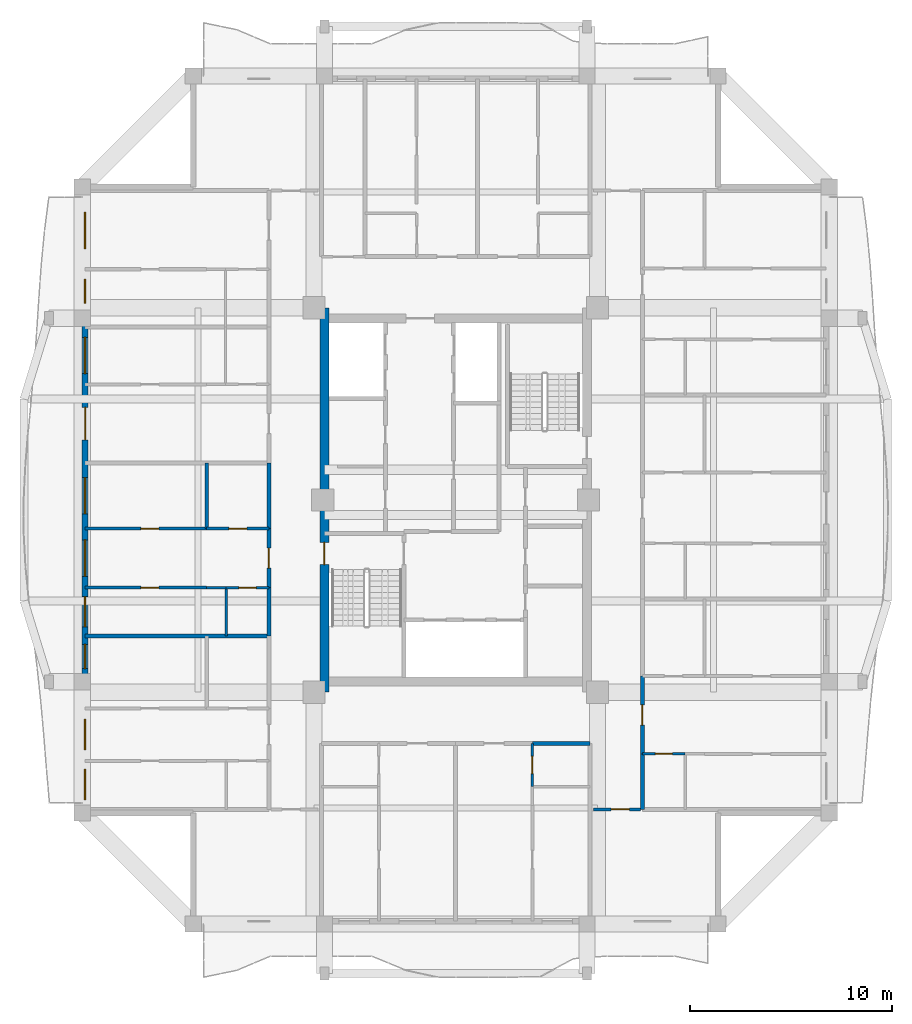
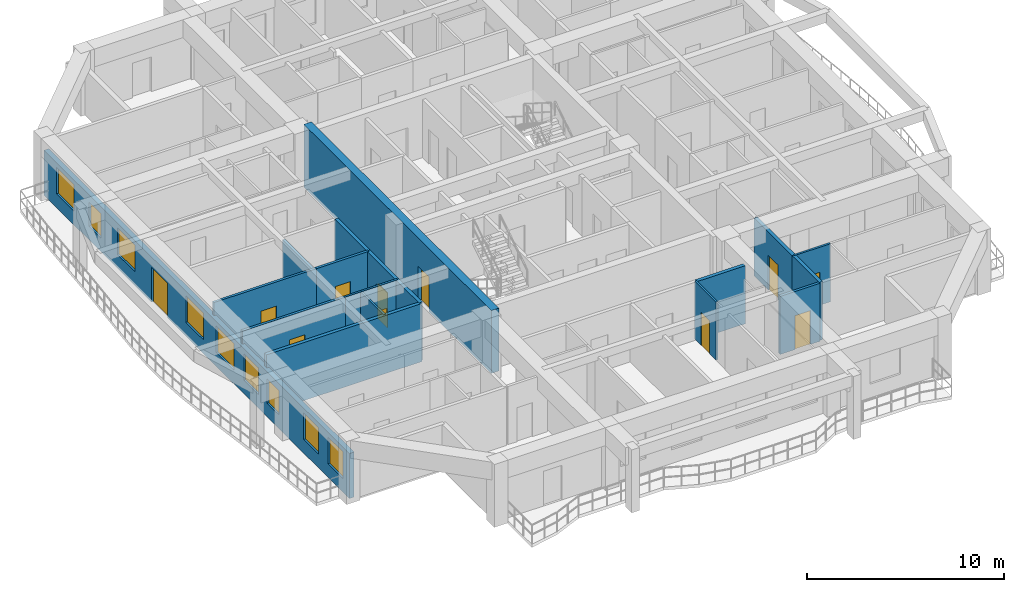
# One storey, part 3 of 14: 19 walls, 11 doors, 9 windows, 20 openings.
"""IFC4 building model written with IfcOpenShell, lengths in metres."""

import ifcopenshell
import ifcopenshell.guid

model = None  # the IFC model being written
_history = None  # IfcOwnerHistory: only IFC2X3 demands one
_inside = {}  # id of a spatial element -> (the spatial element, [elements in it])
_under = {}  # id of a project, library or spatial element -> (it, [spatial elements below it])
_declared = {}  # id of a project -> (the project, [libraries it declares])
_typed = {}  # id of a type object -> (the type object, [elements of that type])
_made_of = {}  # id of a material, layer set ... -> (it, [elements and type objects made of it])


def new_model(schema):
    """Start an empty IFC model of exactly this schema.

    Asked for "IFC4X3", IfcOpenShell would pick the latest addendum, in which some entities
    have other attributes; the version numbers below select the first issue.
    IFC2X3 requires an IfcOwnerHistory on every rooted entity: one is made here for all.
    """
    global model, _history
    if schema == "IFC4X3":
        model = ifcopenshell.file(schema_version=(4, 3, 0, 0))
    else:
        model = ifcopenshell.file(schema=schema)
    _inside.clear()
    _under.clear()
    _declared.clear()
    _typed.clear()
    _made_of.clear()
    _history = None
    if model.schema == "IFC2X3":
        org = make("IfcOrganization", Name="unknown")
        user = make(
            "IfcPersonAndOrganization",
            ThePerson=make("IfcPerson", FamilyName="unknown"),
            TheOrganization=org,
        )
        app = make(
            "IfcApplication",
            ApplicationDeveloper=org,
            Version="unknown",
            ApplicationFullName="unknown",
            ApplicationIdentifier="unknown",
        )
        _history = make(
            "IfcOwnerHistory",
            OwningUser=user,
            OwningApplication=app,
            ChangeAction="ADDED",
            CreationDate=0,
        )
    return model


def make(cls, **values):
    """One entity of the class cls with the attributes given. An attribute that is None is left unset."""
    return model.create_entity(
        cls, **{name: value for name, value in values.items() if value is not None}
    )


def rooted(cls, **values):
    """An entity with a GlobalId (a new one), such as an element, a storey or a relation."""
    return make(cls, GlobalId=ifcopenshell.guid.new(), OwnerHistory=_history, **values)


def si_unit(unit_type, name, prefix=None):
    """IfcSIUnit, for example si_unit("LENGTHUNIT", "METRE", prefix="MILLI")."""
    return make("IfcSIUnit", UnitType=unit_type, Prefix=prefix, Name=name)


def assignment(units):
    """IfcUnitAssignment: the units of a project."""
    return None if units is None else make("IfcUnitAssignment", Units=units)


def point(xyz):
    """IfcCartesianPoint."""
    return None if xyz is None else make("IfcCartesianPoint", Coordinates=xyz)


def direction(xyz):
    """IfcDirection."""
    return None if xyz is None else make("IfcDirection", DirectionRatios=xyz)


def frame(location, z_axis=None, x_axis=None):
    """IfcAxis2Placement3D, a coordinate frame: its origin and axes. An axis left out is left unset."""
    return make(
        "IfcAxis2Placement3D",
        Location=point(location),
        Axis=direction(z_axis),
        RefDirection=direction(x_axis),
    )


def frame_2d(location, x_axis=None):
    """IfcAxis2Placement2D, a coordinate frame in the plane: its origin and x axis."""
    return make(
        "IfcAxis2Placement2D", Location=point(location), RefDirection=direction(x_axis)
    )


def origin():
    """The frame at (0, 0, 0) with its axes left unset."""
    return frame((0.0, 0.0, 0.0))


def place(relative_to, where):
    """IfcLocalPlacement: puts the frame where relative to a parent placement (None: the world)."""
    return make(
        "IfcLocalPlacement", PlacementRelTo=relative_to, RelativePlacement=where
    )


def context(
    kind, dimensions, precision=None, world=None, true_north=None, identifier=None
):
    """IfcGeometricRepresentationContext, for example the 3D "Model" context."""
    return make(
        "IfcGeometricRepresentationContext",
        ContextIdentifier=identifier,
        ContextType=kind,
        CoordinateSpaceDimension=dimensions,
        Precision=precision,
        WorldCoordinateSystem=world,
        TrueNorth=true_north,
    )


def subcontext(parent, identifier, kind, view, scale=None):
    """IfcGeometricRepresentationSubContext, for example "Body" below "Model"."""
    return make(
        "IfcGeometricRepresentationSubContext",
        ContextIdentifier=identifier,
        ContextType=kind,
        ParentContext=parent,
        TargetScale=scale,
        TargetView=view,
    )


def project(units=None, contexts=None):
    """IfcProject with its units and contexts."""
    return rooted(
        "IfcProject",
        Name="project",
        RepresentationContexts=contexts,
        UnitsInContext=assignment(units),
    )


def spatial(cls, under=None, at=None, **own):
    """A site, building, storey or space (cls), placed at a placement, below another one or the project."""
    s = rooted(cls, ObjectPlacement=at, **own)
    if under is not None:
        _under.setdefault(under.id(), (under, []))[1].append(s)
    return s


def profile(cls, at=None, kind="AREA", **sizes):
    """A parametric profile (cls). Its sizes go by their IFC names, for example OverallWidth=200.0."""
    return make(cls, ProfileType=kind, Position=at, **sizes)


def rectangle(**sizes):
    """IfcRectangleProfileDef."""
    return profile("IfcRectangleProfileDef", **sizes)


def extrude(swept, where, along, depth):
    """IfcExtrudedAreaSolid: the profile swept, set in the frame where, extruded along a direction by depth."""
    return make(
        "IfcExtrudedAreaSolid",
        SweptArea=swept,
        Position=where,
        ExtrudedDirection=direction(along),
        Depth=depth,
    )


def shape(context_of_items, identifier, shape_type, items):
    """IfcShapeRepresentation: the items that make up one representation, for example the "Body"."""
    return make(
        "IfcShapeRepresentation",
        ContextOfItems=context_of_items,
        RepresentationIdentifier=identifier,
        RepresentationType=shape_type,
        Items=items,
    )


def source(mapping_origin, context_of_items, identifier, shape_type, items):
    """IfcRepresentationMap: a shape defined once, which mapped items show again and again."""
    return make(
        "IfcRepresentationMap",
        MappingOrigin=mapping_origin,
        MappedRepresentation=shape(context_of_items, identifier, shape_type, items),
    )


def transform(
    local_origin,
    x_axis=None,
    y_axis=None,
    z_axis=None,
    scale=None,
    scale2=None,
    scale3=None,
    uniform=True,
):
    """IfcCartesianTransformationOperator3D, or its non-uniform kind. x_axis, y_axis, z_axis: its Axis1, 2, 3."""
    if uniform:
        return make(
            "IfcCartesianTransformationOperator3D",
            Axis1=direction(x_axis),
            Axis2=direction(y_axis),
            LocalOrigin=point(local_origin),
            Scale=scale,
            Axis3=direction(z_axis),
        )
    return make(
        "IfcCartesianTransformationOperator3DnonUniform",
        Axis1=direction(x_axis),
        Axis2=direction(y_axis),
        LocalOrigin=point(local_origin),
        Scale=scale,
        Axis3=direction(z_axis),
        Scale2=scale2,
        Scale3=scale3,
    )


def mapped(mapping_source, mapping_target):
    """IfcMappedItem: shows the shape of a source again, moved by a transform."""
    return make(
        "IfcMappedItem", MappingSource=mapping_source, MappingTarget=mapping_target
    )


def material(Name=None, Category=None):
    """IfcMaterial."""
    return make("IfcMaterial", Name=Name, Category=Category)


def layer(
    of_material, thickness, ventilated=None, Name=None, Category=None, Priority=None
):
    """IfcMaterialLayer: one layer of a wall or slab, of a material (None: an air gap)."""
    return make(
        "IfcMaterialLayer",
        Material=of_material,
        LayerThickness=thickness,
        IsVentilated=ventilated,
        Name=Name,
        Category=Category,
        Priority=Priority,
    )


def layer_set(layers, Name=None):
    """IfcMaterialLayerSet."""
    return make("IfcMaterialLayerSet", MaterialLayers=layers, LayerSetName=Name)


def made_of(thing, what):
    """Note that an element or type object is made of a material, layer set ...; save() writes the relation."""
    if what is not None:
        _made_of.setdefault(what.id(), (what, []))[1].append(thing)
    return thing


def type_object(cls, material=None, **own):
    """A type object (cls), such as IfcWallType, which elements share."""
    return made_of(rooted(cls, **own), material)


def element(
    cls,
    number,
    at=None,
    inside=None,
    cuts=None,
    type_object=None,
    material=None,
    context=None,
    identifier="Body",
    shape_type=None,
    held_by="IfcProductDefinitionShape",
    body=None,
    shapes=None,
    **own,
):
    """One element of the class cls, such as IfcWall. Its Tag is "e" and its number.

    at: its placement. inside: the storey or other place that contains it. cuts: it is an
    opening in that element (IfcRelVoidsElement). A single representation is given by context,
    identifier, shape_type and body (its items); several are given by shapes. held_by: the class
    of the entity that holds the representations. save() writes the other relations.
    """
    e = rooted(cls, Tag="e%d" % number, ObjectPlacement=at, **own)
    if body is not None:
        shapes = [shape(context, identifier, shape_type, body)]
    if shapes is not None:
        e.Representation = make(held_by, Representations=shapes)
    if inside is not None:
        _inside.setdefault(inside.id(), (inside, []))[1].append(e)
    if cuts is not None:
        rooted(
            "IfcRelVoidsElement", RelatingBuildingElement=cuts, RelatedOpeningElement=e
        )
    if type_object is not None:
        _typed.setdefault(type_object.id(), (type_object, []))[1].append(e)
    return made_of(e, material)


def fill(opening, filler):
    """IfcRelFillsElement: the door or window that sits in an opening."""
    return rooted(
        "IfcRelFillsElement",
        RelatingOpeningElement=opening,
        RelatedBuildingElement=filler,
    )


def aggregate(whole, parts):
    """IfcRelAggregates: a whole, such as a stair, and the parts it consists of."""
    return rooted("IfcRelAggregates", RelatingObject=whole, RelatedObjects=parts)


def save(model, path):
    """Write the relations noted so far, then the file.

    IfcRelAggregates (storeys below a building ...), IfcRelContainedInSpatialStructure (elements
    in a storey), IfcRelDefinesByType, IfcRelAssociatesMaterial and IfcRelDeclares: one each for
    every whole, place, type object, material and project.
    """
    for whole, parts in _under.values():
        aggregate(whole, parts)
    for where, things in _inside.values():
        rooted(
            "IfcRelContainedInSpatialStructure",
            RelatedElements=things,
            RelatingStructure=where,
        )
    for kind, things in _typed.values():
        rooted("IfcRelDefinesByType", RelatedObjects=things, RelatingType=kind)
    for what, things in _made_of.values():
        rooted("IfcRelAssociatesMaterial", RelatedObjects=things, RelatingMaterial=what)
    for by, libraries in _declared.values():
        rooted("IfcRelDeclares", RelatingContext=by, RelatedDefinitions=libraries)
    model.write(path)


model = new_model("IFC4")

# Units and contexts
model_context = context("Model", 3, precision=1e-05, world=origin(), true_north=direction((0.0, 1.0)))
body_context = subcontext(model_context, "Body", "Model", "MODEL_VIEW")
ifc_project = project(units=[si_unit("LENGTHUNIT", "METRE"), si_unit("AREAUNIT", "SQUARE_METRE"), si_unit("VOLUMEUNIT", "CUBIC_METRE"), si_unit("PLANEANGLEUNIT", "RADIAN"), si_unit("MASSUNIT", "GRAM", prefix="KILO")], contexts=[model_context])

# Site, building, storey
site_placement = place(None, origin())
site = spatial("IfcSite", under=ifc_project, at=site_placement, CompositionType="ELEMENT")
building_placement = place(site_placement, origin())
building = spatial("IfcBuilding", under=site, at=building_placement, Name="Saelheon Loggia Tower", CompositionType="ELEMENT")
storey_placement = place(building_placement, frame((0.0, 0.0, 202.60009765625)))
storey = spatial("IfcBuildingStorey", under=building, at=storey_placement, Name="L63", CompositionType="ELEMENT", Elevation=202.60009765625)

# Wall, opening, door
ifc_material_1 = material(Name="Concrete C45/55", Category="concrete")
ifc_layer_1 = layer(ifc_material_1, 0.449951171875)
ifc_layer_set_1 = layer_set([ifc_layer_1], Name="Concrete C45/55")
wall_type_1 = type_object("IfcWallType", Name="Wall_CoreShear_450", PredefinedType="SHEAR", material=ifc_layer_set_1)
wall_1_placement = place(storey_placement, frame((31.5, 17.47998046875, 0.0), z_axis=(0.0, 0.0, 1.0), x_axis=(0.0, 1.0, 0.0)))
wall_1 = element("IfcWall", 1, at=wall_1_placement, inside=storey, type_object=wall_type_1, Name="L63 Core Shear Wall West", PredefinedType="SHEAR", context=body_context, shape_type="SweptSolid", body=[
    extrude(rectangle(XDim=19.0400390625, YDim=0.449951171875, at=frame_2d((9.52001953125, 0.0))), origin(), (0.0, 0.0, 1.0), 3.89990234375),
])
opening_1_placement = place(wall_1_placement, frame((6.320068359375, 0.0, 0.0)))
opening_1 = element("IfcOpeningElement", 2, at=opening_1_placement, cuts=wall_1, Name="Opening D-FD2", PredefinedType="OPENING", context=body_context, shape_type="SweptSolid", body=[
    extrude(rectangle(XDim=1.10009765625, YDim=2.14990234375, at=frame_2d((0.550048828125, 1.074951171875))), frame((0.0, 0.237060546875, 0.0), z_axis=(0.0, -1.0, 0.0), x_axis=(1.0, 0.0, 0.0)), (0.0, 0.0, 1.0), 0.473876953125),
])
ifc_material_2 = material(Name="Galvanised Steel Fire Door", Category="steel")
door_type_1 = type_object("IfcDoorType", Name="Door_Fire_FD60_1100", OperationType="NOTDEFINED", PredefinedType="DOOR", material=ifc_material_2)
shared_shape_1 = source(origin(), body_context, "Body", "SweptSolid", [
    extrude(rectangle(XDim=1.10009765625, YDim=2.14990234375, at=frame_2d((0.550048828125, 1.074951171875))), frame((0.0, 0.02490234375, 0.0), z_axis=(0.0, -1.0, 0.0), x_axis=(1.0, 0.0, 0.0)), (0.0, 0.0, 1.0), 0.050048828125),
])
door_1_placement = place(opening_1_placement, origin())
door_1 = element("IfcDoor", 3, at=door_1_placement, inside=storey, type_object=door_type_1, Name="L63 Stair ST1 Corridor Door", OperationType="SINGLE_SWING_LEFT", OverallHeight=2.14990234375, OverallWidth=1.10009765625, PredefinedType="DOOR", context=body_context, shape_type="MappedRepresentation", body=[
    mapped(shared_shape_1, transform((0.0, 0.0, 0.0), scale=1.0)),
])
fill(opening_1, door_1)

# Wall, openings, windows, door
ifc_material_3 = material(Name="Architectural Precast Concrete C40/50", Category="concrete")
ifc_layer_2 = layer(ifc_material_3, 0.280029296875)
ifc_layer_set_2 = layer_set([ifc_layer_2], Name="Architectural Precast Concrete C40/50")
wall_type_2 = type_object("IfcWallType", Name="Wall_Ext_Loggia_280", PredefinedType="SOLIDWALL", material=ifc_layer_set_2)
wall_2_placement = place(storey_placement, frame((19.639892578125, 11.5, 0.0), z_axis=(0.0, 0.0, 1.0), x_axis=(0.0, 1.0, 0.0)))
wall_2 = element("IfcWall", 4, at=wall_2_placement, inside=storey, type_object=wall_type_2, Name="L63 West Loggia Inner Wall", PredefinedType="SOLIDWALL", context=body_context, shape_type="SweptSolid", body=[
    extrude(rectangle(XDim=31.0, YDim=0.280029296875, at=frame_2d((15.5, 0.0))), origin(), (0.0, 0.0, 1.0), 2.789794921875),
])
opening_2_placement = place(wall_2_placement, frame((0.6611328125, 0.0, 0.85009765625)))
opening_2 = element("IfcOpeningElement", 5, at=opening_2_placement, cuts=wall_2, Name="Opening WN-02", PredefinedType="OPENING", context=body_context, shape_type="SweptSolid", body=[
    extrude(rectangle(XDim=1.5, YDim=1.64990234375, at=frame_2d((0.75, 0.824951171875))), frame((0.0, 0.152099609375, 0.0), z_axis=(0.0, -1.0, 0.0), x_axis=(1.0, 0.0, 0.0)), (0.0, 0.0, 1.0), 0.303955078125),
])
opening_3_placement = place(wall_2_placement, frame((3.131103515625, 0.0, 0.85009765625)))
opening_3 = element("IfcOpeningElement", 6, at=opening_3_placement, cuts=wall_2, Name="Opening WN-02", PredefinedType="OPENING", context=body_context, shape_type="SweptSolid", body=[
    extrude(rectangle(XDim=1.5, YDim=1.64990234375, at=frame_2d((0.75, 0.824951171875))), frame((0.0, 0.152099609375, 0.0), z_axis=(0.0, -1.0, 0.0), x_axis=(1.0, 0.0, 0.0)), (0.0, 0.0, 1.0), 0.303955078125),
])
opening_4_placement = place(wall_2_placement, frame((7.149658203125, 0.0, 0.85009765625)))
opening_4 = element("IfcOpeningElement", 7, at=opening_4_placement, cuts=wall_2, Name="Opening WN-03", PredefinedType="OPENING", context=body_context, shape_type="SweptSolid", body=[
    extrude(rectangle(XDim=1.199951171875, YDim=1.5, at=frame_2d((0.60009765625, 0.75))), frame((0.0, 0.152099609375, 0.0), z_axis=(0.0, -1.0, 0.0), x_axis=(1.0, 0.0, 0.0)), (0.0, 0.0, 1.0), 0.303955078125),
])
opening_5_placement = place(wall_2_placement, frame((9.210205078125, 0.0, 0.85009765625)))
opening_5 = element("IfcOpeningElement", 8, at=opening_5_placement, cuts=wall_2, Name="Opening WN-02", PredefinedType="OPENING", context=body_context, shape_type="SweptSolid", body=[
    extrude(rectangle(XDim=1.5, YDim=1.64990234375, at=frame_2d((0.75, 0.824951171875))), frame((0.0, 0.152099609375, 0.0), z_axis=(0.0, -1.0, 0.0), x_axis=(1.0, 0.0, 0.0)), (0.0, 0.0, 1.0), 0.303955078125),
])
opening_6_placement = place(wall_2_placement, frame((11.7197265625, 0.0, 0.85009765625)))
opening_6 = element("IfcOpeningElement", 9, at=opening_6_placement, cuts=wall_2, Name="Opening WN-01", PredefinedType="OPENING", context=body_context, shape_type="SweptSolid", body=[
    extrude(rectangle(XDim=1.800048828125, YDim=1.64990234375, at=frame_2d((0.89990234375, 0.824951171875))), frame((0.0, 0.152099609375, 0.0), z_axis=(0.0, -1.0, 0.0), x_axis=(1.0, 0.0, 0.0)), (0.0, 0.0, 1.0), 0.303955078125),
])
opening_7_placement = place(wall_2_placement, frame((14.808349609375, 0.0, 0.85009765625)))
opening_7 = element("IfcOpeningElement", 10, at=opening_7_placement, cuts=wall_2, Name="Opening WN-01", PredefinedType="OPENING", context=body_context, shape_type="SweptSolid", body=[
    extrude(rectangle(XDim=1.800048828125, YDim=1.64990234375, at=frame_2d((0.89990234375, 0.824951171875))), frame((0.0, 0.152099609375, 0.0), z_axis=(0.0, -1.0, 0.0), x_axis=(1.0, 0.0, 0.0)), (0.0, 0.0, 1.0), 0.303955078125),
])
opening_8_placement = place(wall_2_placement, frame((18.48388671875, 0.0, 0.0)))
opening_8 = element("IfcOpeningElement", 11, at=opening_8_placement, cuts=wall_2, Name="Opening DLG-1", PredefinedType="OPENING", context=body_context, shape_type="SweptSolid", body=[
    extrude(rectangle(XDim=1.60009765625, YDim=2.14990234375, at=frame_2d((0.800048828125, 1.074951171875))), frame((0.0, 0.152099609375, 0.0), z_axis=(0.0, -1.0, 0.0), x_axis=(1.0, 0.0, 0.0)), (0.0, 0.0, 1.0), 0.303955078125),
])
opening_9_placement = place(wall_2_placement, frame((21.754150390625, 0.0, 0.85009765625)))
opening_9 = element("IfcOpeningElement", 12, at=opening_9_placement, cuts=wall_2, Name="Opening WN-01", PredefinedType="OPENING", context=body_context, shape_type="SweptSolid", body=[
    extrude(rectangle(XDim=1.800048828125, YDim=1.64990234375, at=frame_2d((0.89990234375, 0.824951171875))), frame((0.0, 0.152099609375, 0.0), z_axis=(0.0, -1.0, 0.0), x_axis=(1.0, 0.0, 0.0)), (0.0, 0.0, 1.0), 0.303955078125),
])
opening_10_placement = place(wall_2_placement, frame((25.234619140625, 0.0, 0.85009765625)))
opening_10 = element("IfcOpeningElement", 13, at=opening_10_placement, cuts=wall_2, Name="Opening WN-03", PredefinedType="OPENING", context=body_context, shape_type="SweptSolid", body=[
    extrude(rectangle(XDim=1.199951171875, YDim=1.5, at=frame_2d((0.60009765625, 0.75))), frame((0.0, 0.152099609375, 0.0), z_axis=(0.0, -1.0, 0.0), x_axis=(1.0, 0.0, 0.0)), (0.0, 0.0, 1.0), 0.303955078125),
])
opening_11_placement = place(wall_2_placement, frame((27.944580078125, 0.0, 0.85009765625)))
opening_11 = element("IfcOpeningElement", 14, at=opening_11_placement, cuts=wall_2, Name="Opening WN-01", PredefinedType="OPENING", context=body_context, shape_type="SweptSolid", body=[
    extrude(rectangle(XDim=1.800048828125, YDim=1.64990234375, at=frame_2d((0.89990234375, 0.824951171875))), frame((0.0, 0.152099609375, 0.0), z_axis=(0.0, -1.0, 0.0), x_axis=(1.0, 0.0, 0.0)), (0.0, 0.0, 1.0), 0.303955078125),
])
ifc_material_4 = material(Name="Thermal-Break Aluminium and Triple Low-E Glass", Category="aluminium")
window_type_1 = type_object("IfcWindowType", Name="Win_Dwelling_1800x1650", PartitioningType="SINGLE_PANEL", PredefinedType="WINDOW", material=ifc_material_4)
shared_shape_2 = source(origin(), body_context, "Body", "SweptSolid", [
    extrude(rectangle(XDim=1.800048828125, YDim=1.64990234375, at=frame_2d((0.89990234375, 0.824951171875))), frame((0.0, 0.030029296875, 0.0), z_axis=(0.0, -1.0, 0.0), x_axis=(1.0, 0.0, 0.0)), (0.0, 0.0, 1.0), 0.06005859375),
])
window_1_placement = place(opening_6_placement, origin())
window_1 = element("IfcWindow", 15, at=window_1_placement, inside=storey, type_object=window_type_1, Name="L63 W Dwelling Window 5", OverallHeight=1.64990234375, OverallWidth=1.800048828125, PartitioningType="SINGLE_PANEL", PredefinedType="WINDOW", context=body_context, shape_type="MappedRepresentation", body=[
    mapped(shared_shape_2, transform((0.0, 0.0, 0.0), scale=1.0)),
])
fill(opening_6, window_1)
window_2_placement = place(opening_7_placement, origin())
window_2 = element("IfcWindow", 16, at=window_2_placement, inside=storey, type_object=window_type_1, Name="L63 W Dwelling Window 6", OverallHeight=1.64990234375, OverallWidth=1.800048828125, PartitioningType="SINGLE_PANEL", PredefinedType="WINDOW", context=body_context, shape_type="MappedRepresentation", body=[
    mapped(shared_shape_2, transform((0.0, 0.0, 0.0), scale=1.0)),
])
fill(opening_7, window_2)
window_3_placement = place(opening_9_placement, origin())
window_3 = element("IfcWindow", 17, at=window_3_placement, inside=storey, type_object=window_type_1, Name="L63 W Dwelling Window 8", OverallHeight=1.64990234375, OverallWidth=1.800048828125, PartitioningType="SINGLE_PANEL", PredefinedType="WINDOW", context=body_context, shape_type="MappedRepresentation", body=[
    mapped(shared_shape_2, transform((0.0, 0.0, 0.0), scale=1.0)),
])
fill(opening_9, window_3)
window_4_placement = place(opening_11_placement, origin())
window_4 = element("IfcWindow", 18, at=window_4_placement, inside=storey, type_object=window_type_1, Name="L63 W Dwelling Window 10", OverallHeight=1.64990234375, OverallWidth=1.800048828125, PartitioningType="SINGLE_PANEL", PredefinedType="WINDOW", context=body_context, shape_type="MappedRepresentation", body=[
    mapped(shared_shape_2, transform((0.0, 0.0, 0.0), scale=1.0)),
])
fill(opening_11, window_4)
window_type_2 = type_object("IfcWindowType", Name="Win_Bedroom_1200x1500", PartitioningType="SINGLE_PANEL", PredefinedType="WINDOW", material=ifc_material_4)
shared_shape_3 = source(origin(), body_context, "Body", "SweptSolid", [
    extrude(rectangle(XDim=1.199951171875, YDim=1.5, at=frame_2d((0.60009765625, 0.75))), frame((0.0, 0.030029296875, 0.0), z_axis=(0.0, -1.0, 0.0), x_axis=(1.0, 0.0, 0.0)), (0.0, 0.0, 1.0), 0.06005859375),
])
window_5_placement = place(opening_4_placement, origin())
window_5 = element("IfcWindow", 19, at=window_5_placement, inside=storey, type_object=window_type_2, Name="L63 W Dwelling Window 3", OverallHeight=1.5, OverallWidth=1.199951171875, PartitioningType="SINGLE_PANEL", PredefinedType="WINDOW", context=body_context, shape_type="MappedRepresentation", body=[
    mapped(shared_shape_3, transform((0.0, 0.0, 0.0), scale=1.0)),
])
fill(opening_4, window_5)
window_6_placement = place(opening_10_placement, origin())
window_6 = element("IfcWindow", 20, at=window_6_placement, inside=storey, type_object=window_type_2, Name="L63 W Dwelling Window 9", OverallHeight=1.5, OverallWidth=1.199951171875, PartitioningType="SINGLE_PANEL", PredefinedType="WINDOW", context=body_context, shape_type="MappedRepresentation", body=[
    mapped(shared_shape_3, transform((0.0, 0.0, 0.0), scale=1.0)),
])
fill(opening_10, window_6)
ifc_material_5 = material(Name="Thermal-Break Aluminium Sliding Glazed Door", Category="aluminium")
door_type_2 = type_object("IfcDoorType", Name="Door_LoggiaSlide_1600", OperationType="SLIDING_TO_LEFT", PredefinedType="DOOR", material=ifc_material_5)
shared_shape_4 = source(origin(), body_context, "Body", "SweptSolid", [
    extrude(rectangle(XDim=1.60009765625, YDim=2.14990234375, at=frame_2d((0.800048828125, 1.074951171875))), frame((0.0, 0.02490234375, 0.0), z_axis=(0.0, -1.0, 0.0), x_axis=(1.0, 0.0, 0.0)), (0.0, 0.0, 1.0), 0.050048828125),
])
door_2_placement = place(opening_8_placement, origin())
door_2 = element("IfcDoor", 21, at=door_2_placement, inside=storey, type_object=door_type_2, Name="L63 W Loggia Access Door", OperationType="SLIDING_TO_LEFT", OverallHeight=2.14990234375, OverallWidth=1.60009765625, PredefinedType="DOOR", context=body_context, shape_type="MappedRepresentation", body=[
    mapped(shared_shape_4, transform((0.0, 0.0, 0.0), scale=1.0)),
])
fill(opening_8, door_2)
window_type_3 = type_object("IfcWindowType", Name="Win_Dwelling_1500x1650", PartitioningType="SINGLE_PANEL", PredefinedType="WINDOW", material=ifc_material_4)
shared_shape_5 = source(origin(), body_context, "Body", "SweptSolid", [
    extrude(rectangle(XDim=1.5, YDim=1.64990234375, at=frame_2d((0.75, 0.824951171875))), frame((0.0, 0.030029296875, 0.0), z_axis=(0.0, -1.0, 0.0), x_axis=(1.0, 0.0, 0.0)), (0.0, 0.0, 1.0), 0.06005859375),
])
window_7_placement = place(opening_2_placement, origin())
window_7 = element("IfcWindow", 22, at=window_7_placement, inside=storey, type_object=window_type_3, Name="L63 W Dwelling Window 1", OverallHeight=1.64990234375, OverallWidth=1.5, PartitioningType="SINGLE_PANEL", PredefinedType="WINDOW", context=body_context, shape_type="MappedRepresentation", body=[
    mapped(shared_shape_5, transform((0.0, 0.0, 0.0), scale=1.0)),
])
fill(opening_2, window_7)
window_8_placement = place(opening_3_placement, origin())
window_8 = element("IfcWindow", 23, at=window_8_placement, inside=storey, type_object=window_type_3, Name="L63 W Dwelling Window 2", OverallHeight=1.64990234375, OverallWidth=1.5, PartitioningType="SINGLE_PANEL", PredefinedType="WINDOW", context=body_context, shape_type="MappedRepresentation", body=[
    mapped(shared_shape_5, transform((0.0, 0.0, 0.0), scale=1.0)),
])
fill(opening_3, window_8)
window_9_placement = place(opening_5_placement, origin())
window_9 = element("IfcWindow", 24, at=window_9_placement, inside=storey, type_object=window_type_3, Name="L63 W Dwelling Window 4", OverallHeight=1.64990234375, OverallWidth=1.5, PartitioningType="SINGLE_PANEL", PredefinedType="WINDOW", context=body_context, shape_type="MappedRepresentation", body=[
    mapped(shared_shape_5, transform((0.0, 0.0, 0.0), scale=1.0)),
])
fill(opening_5, window_9)

# Wall, opening, door
ifc_material_6 = material(Name="Lightweight Autoclaved Aerated Concrete Block and Acoustic Gypsum", Category="concrete")
ifc_layer_3 = layer(ifc_material_6, 0.14990234375)
ifc_layer_set_3 = layer_set([ifc_layer_3], Name="Lightweight Autoclaved Aerated Concrete Block and Acoustic Gypsum")
wall_type_3 = type_object("IfcWallType", Name="Wall_Part_150", PredefinedType="PARTITIONING", material=ifc_layer_set_3)
wall_3_placement = place(storey_placement, frame((44.820068359375, 11.679931640625, 0.0), z_axis=(0.0, 0.0, 1.0), x_axis=(1.0, 0.0, 0.0)))
wall_3 = element("IfcWall", 25, at=wall_3_placement, inside=storey, type_object=wall_type_3, Name="PW-L63-CSE-H", PredefinedType="PARTITIONING", context=body_context, shape_type="SweptSolid", body=[
    extrude(rectangle(XDim=2.329833984375, YDim=0.14990234375, at=frame_2d((1.1650390625, 0.0))), origin(), (0.0, 0.0, 1.0), 3.599853515625),
])
opening_12_placement = place(wall_3_placement, frame((0.8798828125, 0.0, 0.0)))
opening_12 = element("IfcOpeningElement", 26, at=opening_12_placement, cuts=wall_3, Name="Opening D-IN2", PredefinedType="OPENING", context=body_context, shape_type="SweptSolid", body=[
    extrude(rectangle(XDim=0.89990234375, YDim=2.10009765625, at=frame_2d((0.449951171875, 1.050048828125))), frame((0.0, 0.0869140625, 0.0), z_axis=(0.0, -1.0, 0.0), x_axis=(1.0, 0.0, 0.0)), (0.0, 0.0, 1.0), 0.173828125),
])
ifc_material_7 = material(Name="Engineered Oak Flush Door", Category="timber")
door_type_3 = type_object("IfcDoorType", Name="Door_Int_900", OperationType="NOTDEFINED", PredefinedType="DOOR", material=ifc_material_7)
shared_shape_6 = source(origin(), body_context, "Body", "SweptSolid", [
    extrude(rectangle(XDim=0.89990234375, YDim=2.10009765625, at=frame_2d((0.449951171875, 1.050048828125))), frame((0.0, 0.02490234375, 0.0), z_axis=(0.0, -1.0, 0.0), x_axis=(1.0, 0.0, 0.0)), (0.0, 0.0, 1.0), 0.050048828125),
])
door_3_placement = place(opening_12_placement, origin())
door_3 = element("IfcDoor", 27, at=door_3_placement, inside=storey, type_object=door_type_3, Name="L63 Corner Reading Room SE Door", OperationType="SINGLE_SWING_RIGHT", OverallHeight=2.10009765625, OverallWidth=0.89990234375, PredefinedType="DOOR", context=body_context, shape_type="MappedRepresentation", body=[
    mapped(shared_shape_6, transform((0.0, 0.0, 0.0), scale=1.0)),
])
fill(opening_12, door_3)

# Wall
wall_4_placement = place(storey_placement, frame((25.669921875, 25.578369140625, 0.0), z_axis=(0.0, 0.0, 1.0), x_axis=(0.0, 1.0, 0.0)))
element("IfcWall", 28, at=wall_4_placement, inside=storey, type_object=wall_type_3, Name="L63 W Partition V18", PredefinedType="PARTITIONING", context=body_context, shape_type="SweptSolid", body=[
    extrude(rectangle(XDim=3.260009765625, YDim=0.14990234375, at=frame_2d((1.6298828125, 0.0))), origin(), (0.0, 0.0, 1.0), 3.389892578125),
])

# Wall, opening, door
wall_5_placement = place(storey_placement, frame((25.669921875, 22.661376953125, 0.0), z_axis=(0.0, 0.0, 1.0), x_axis=(-1.0, 0.0, 0.0)))
wall_5 = element("IfcWall", 29, at=wall_5_placement, inside=storey, type_object=wall_type_3, Name="L63 W Partition U21", PredefinedType="PARTITIONING", context=body_context, shape_type="SweptSolid", body=[
    extrude(rectangle(XDim=6.02001953125, YDim=0.14990234375, at=frame_2d((3.010009765625, 0.0))), origin(), (0.0, 0.0, 1.0), 3.599853515625),
])
opening_13_placement = place(wall_5_placement, frame((2.36669921875, 0.0, 0.0)))
opening_13 = element("IfcOpeningElement", 30, at=opening_13_placement, cuts=wall_5, Name="Opening D-IN2", PredefinedType="OPENING", context=body_context, shape_type="SweptSolid", body=[
    extrude(rectangle(XDim=0.89990234375, YDim=2.10009765625, at=frame_2d((0.449951171875, 1.050048828125))), frame((0.0, 0.0869140625, 0.0), z_axis=(0.0, -1.0, 0.0), x_axis=(1.0, 0.0, 0.0)), (0.0, 0.0, 1.0), 0.173828125),
])
door_4_placement = place(opening_13_placement, origin())
door_4 = element("IfcDoor", 31, at=door_4_placement, inside=storey, type_object=door_type_3, Name="Unit U06 Kitchen Door", OperationType="SINGLE_SWING_RIGHT", OverallHeight=2.10009765625, OverallWidth=0.89990234375, PredefinedType="DOOR", context=body_context, shape_type="MappedRepresentation", body=[
    mapped(shared_shape_6, transform((0.0, 0.0, 0.0), scale=1.0)),
])
fill(opening_13, door_4)

wall_6_placement = place(storey_placement, frame((28.75, 25.578369140625, 0.0), z_axis=(0.0, 0.0, 1.0), x_axis=(-1.0, 0.0, 0.0)))
wall_6 = element("IfcWall", 32, at=wall_6_placement, inside=storey, type_object=wall_type_3, Name="L63 W Partition U22", PredefinedType="PARTITIONING", context=body_context, shape_type="SweptSolid", body=[
    extrude(rectangle(XDim=3.080078125, YDim=0.14990234375, at=frame_2d((1.5400390625, 0.0))), origin(), (0.0, 0.0, 1.0), 3.599853515625),
])
opening_14_placement = place(wall_6_placement, frame((1.090087890625, 0.0, 0.0)))
opening_14 = element("IfcOpeningElement", 33, at=opening_14_placement, cuts=wall_6, Name="Opening D-IN2", PredefinedType="OPENING", context=body_context, shape_type="SweptSolid", body=[
    extrude(rectangle(XDim=0.89990234375, YDim=2.10009765625, at=frame_2d((0.449951171875, 1.050048828125))), frame((0.0, 0.0869140625, 0.0), z_axis=(0.0, -1.0, 0.0), x_axis=(1.0, 0.0, 0.0)), (0.0, 0.0, 1.0), 0.173828125),
])
door_5_placement = place(opening_14_placement, origin())
door_5 = element("IfcDoor", 34, at=door_5_placement, inside=storey, type_object=door_type_3, Name="Unit U06 Dressing Closet Door", OperationType="SINGLE_SWING_LEFT", OverallHeight=2.10009765625, OverallWidth=0.89990234375, PredefinedType="DOOR", context=body_context, shape_type="MappedRepresentation", body=[
    mapped(shared_shape_6, transform((0.0, 0.0, 0.0), scale=1.0)),
])
fill(opening_14, door_5)

wall_7_placement = place(storey_placement, frame((25.669921875, 25.578369140625, 0.0), z_axis=(0.0, 0.0, 1.0), x_axis=(-1.0, 0.0, 0.0)))
wall_7 = element("IfcWall", 35, at=wall_7_placement, inside=storey, type_object=wall_type_3, Name="L63 W Partition U23", PredefinedType="PARTITIONING", context=body_context, shape_type="SweptSolid", body=[
    extrude(rectangle(XDim=6.02001953125, YDim=0.14990234375, at=frame_2d((3.010009765625, 0.0))), origin(), (0.0, 0.0, 1.0), 3.599853515625),
])
opening_15_placement = place(wall_7_placement, frame((2.36669921875, 0.0, 0.0)))
opening_15 = element("IfcOpeningElement", 36, at=opening_15_placement, cuts=wall_7, Name="Opening D-IN2", PredefinedType="OPENING", context=body_context, shape_type="SweptSolid", body=[
    extrude(rectangle(XDim=0.89990234375, YDim=2.10009765625, at=frame_2d((0.449951171875, 1.050048828125))), frame((0.0, 0.0869140625, 0.0), z_axis=(0.0, -1.0, 0.0), x_axis=(1.0, 0.0, 0.0)), (0.0, 0.0, 1.0), 0.173828125),
])
door_6_placement = place(opening_15_placement, origin())
door_6 = element("IfcDoor", 37, at=door_6_placement, inside=storey, type_object=door_type_3, Name="Unit U06 Bedroom 1 Door", OperationType="SINGLE_SWING_RIGHT", OverallHeight=2.10009765625, OverallWidth=0.89990234375, PredefinedType="DOOR", context=body_context, shape_type="MappedRepresentation", body=[
    mapped(shared_shape_6, transform((0.0, 0.0, 0.0), scale=1.0)),
])
fill(opening_15, door_6)

# Walls
ifc_material_8 = material(Name="Double Acoustic Stud and Fireboard Partition", Category="gypsum")
ifc_layer_4 = layer(ifc_material_8, 0.199951171875)
ifc_layer_set_4 = layer_set([ifc_layer_4], Name="Double Acoustic Stud and Fireboard Partition")
wall_type_4 = type_object("IfcWallType", Name="Wall_Party_200", PredefinedType="PARTITIONING", material=ifc_layer_set_4)
wall_8_placement = place(storey_placement, frame((41.800048828125, 14.949951171875, 0.0), z_axis=(0.0, 0.0, 1.0), x_axis=(1.0, 0.0, 0.0)))
element("IfcWall", 38, at=wall_8_placement, inside=storey, type_object=wall_type_4, Name="L63 S Partition V11", PredefinedType="PARTITIONING", context=body_context, shape_type="SweptSolid", body=[
    extrude(rectangle(XDim=2.849853515625, YDim=0.199951171875, at=frame_2d((1.4248046875, 0.0))), origin(), (0.0, 0.0, 1.0), 3.599853515625),
])
wall_9_placement = place(storey_placement, frame((28.75, 20.25927734375, 0.0), z_axis=(0.0, 0.0, 1.0), x_axis=(-1.0, 0.0, 0.0)))
element("IfcWall", 39, at=wall_9_placement, inside=storey, type_object=wall_type_4, Name="L63 W Partition U13", PredefinedType="PARTITIONING", context=body_context, shape_type="SweptSolid", body=[
    extrude(rectangle(XDim=9.10009765625, YDim=0.199951171875, at=frame_2d((4.550048828125, 0.0))), origin(), (0.0, 0.0, 1.0), 3.599853515625),
])
wall_10_placement = place(storey_placement, frame((28.75, 20.25927734375, 0.0), z_axis=(0.0, 0.0, 1.0), x_axis=(0.0, 1.0, 0.0)))
element("IfcWall", 40, at=wall_10_placement, inside=storey, type_object=wall_type_4, Name="L63 W Partition V14", PredefinedType="PARTITIONING", context=body_context, shape_type="SweptSolid", body=[
    extrude(rectangle(XDim=2.402099609375, YDim=0.199951171875, at=frame_2d((1.201171875, 0.0))), origin(), (0.0, 0.0, 1.0), 3.599853515625),
])

# Wall, opening, door
wall_11_placement = place(storey_placement, frame((28.75, 22.661376953125, 0.0), z_axis=(0.0, 0.0, 1.0), x_axis=(0.0, 1.0, 0.0)))
wall_11 = element("IfcWall", 41, at=wall_11_placement, inside=storey, type_object=wall_type_4, Name="L63 W Partition V15", PredefinedType="PARTITIONING", context=body_context, shape_type="SweptSolid", body=[
    extrude(rectangle(XDim=2.9169921875, YDim=0.199951171875, at=frame_2d((1.45849609375, 0.0))), origin(), (0.0, 0.0, 1.0), 3.599853515625),
])
opening_16_placement = place(wall_11_placement, frame((0.95849609375, 0.0, 0.0)))
opening_16 = element("IfcOpeningElement", 42, at=opening_16_placement, cuts=wall_11, Name="Opening D-FD1", PredefinedType="OPENING", context=body_context, shape_type="SweptSolid", body=[
    extrude(rectangle(XDim=1.0, YDim=2.14990234375, at=frame_2d((0.5, 1.074951171875))), frame((0.0, 0.112060546875, 0.0), z_axis=(0.0, -1.0, 0.0), x_axis=(1.0, 0.0, 0.0)), (0.0, 0.0, 1.0), 0.223876953125),
])
ifc_material_9 = material(Name="Fire-Rated Engineered Timber Entrance Door", Category="wood")
door_type_4 = type_object("IfcDoorType", Name="Door_Flat_FD30S", OperationType="NOTDEFINED", PredefinedType="DOOR", material=ifc_material_9)
shared_shape_7 = source(origin(), body_context, "Body", "SweptSolid", [
    extrude(rectangle(XDim=1.0, YDim=2.14990234375, at=frame_2d((0.5, 1.074951171875))), frame((0.0, 0.02490234375, 0.0), z_axis=(0.0, -1.0, 0.0), x_axis=(1.0, 0.0, 0.0)), (0.0, 0.0, 1.0), 0.050048828125),
])
door_7_placement = place(opening_16_placement, origin())
door_7 = element("IfcDoor", 43, at=door_7_placement, inside=storey, type_object=door_type_4, Name="Unit U06 Entrance Door", OperationType="SINGLE_SWING_RIGHT", OverallHeight=2.14990234375, OverallWidth=1.0, PredefinedType="DOOR", context=body_context, shape_type="MappedRepresentation", body=[
    mapped(shared_shape_7, transform((0.0, 0.0, 0.0), scale=1.0)),
])
fill(opening_16, door_7)

# Walls
wall_12_placement = place(storey_placement, frame((28.75, 25.578369140625, 0.0), z_axis=(0.0, 0.0, 1.0), x_axis=(0.0, 1.0, 0.0)))
element("IfcWall", 44, at=wall_12_placement, inside=storey, type_object=wall_type_4, Name="L63 W Partition V16", PredefinedType="PARTITIONING", context=body_context, shape_type="SweptSolid", body=[
    extrude(rectangle(XDim=3.260009765625, YDim=0.199951171875, at=frame_2d((1.6298828125, 0.0))), origin(), (0.0, 0.0, 1.0), 3.599853515625),
])
wall_13_placement = place(storey_placement, frame((47.25, 11.679931640625, 0.0), z_axis=(0.0, 0.0, 1.0), x_axis=(0.0, 1.0, 0.0)))
element("IfcWall", 45, at=wall_13_placement, inside=storey, type_object=wall_type_4, Name="L63 E Partition V03", PredefinedType="PARTITIONING", context=body_context, shape_type="SweptSolid", body=[
    extrude(rectangle(XDim=2.75, YDim=0.199951171875, at=frame_2d((1.375, 0.0))), origin(), (0.0, 0.0, 1.0), 3.599853515625),
])

# Wall, opening, door
wall_14_placement = place(storey_placement, frame((47.25, 14.429931640625, 0.0), z_axis=(0.0, 0.0, 1.0), x_axis=(0.0, 1.0, 0.0)))
wall_14 = element("IfcWall", 46, at=wall_14_placement, inside=storey, type_object=wall_type_4, Name="L63 E Partition V04", PredefinedType="PARTITIONING", context=body_context, shape_type="SweptSolid", body=[
    extrude(rectangle(XDim=3.85009765625, YDim=0.199951171875, at=frame_2d((1.925048828125, 0.0))), origin(), (0.0, 0.0, 1.0), 3.599853515625),
])
opening_17_placement = place(wall_14_placement, frame((1.425048828125, 0.0, 0.0)))
opening_17 = element("IfcOpeningElement", 47, at=opening_17_placement, cuts=wall_14, Name="Opening D-FD1", PredefinedType="OPENING", context=body_context, shape_type="SweptSolid", body=[
    extrude(rectangle(XDim=1.0, YDim=2.14990234375, at=frame_2d((0.5, 1.074951171875))), frame((0.0, 0.112060546875, 0.0), z_axis=(0.0, -1.0, 0.0), x_axis=(1.0, 0.0, 0.0)), (0.0, 0.0, 1.0), 0.223876953125),
])
door_8_placement = place(opening_17_placement, origin())
door_8 = element("IfcDoor", 48, at=door_8_placement, inside=storey, type_object=door_type_4, Name="Unit U09 Entrance Door", OperationType="SINGLE_SWING_LEFT", OverallHeight=2.14990234375, OverallWidth=1.0, PredefinedType="DOOR", context=body_context, shape_type="MappedRepresentation", body=[
    mapped(shared_shape_7, transform((0.0, 0.0, 0.0), scale=1.0)),
])
fill(opening_17, door_8)

ifc_material_10 = material(Name="Moisture-Resistant Cement Board Partition", Category="gypsum")
ifc_layer_5 = layer(ifc_material_10, 0.1201171875)
ifc_layer_set_5 = layer_set([ifc_layer_5], Name="Moisture-Resistant Cement Board Partition")
wall_type_5 = type_object("IfcWallType", Name="Wall_WetPart_120", PredefinedType="PARTITIONING", material=ifc_layer_set_5)
wall_15_placement = place(storey_placement, frame((41.800048828125, 14.949951171875, 0.0), z_axis=(0.0, 0.0, 1.0), x_axis=(0.0, -1.0, 0.0)))
wall_15 = element("IfcWall", 49, at=wall_15_placement, inside=storey, type_object=wall_type_5, Name="L63 S Partition U12", PredefinedType="PARTITIONING", context=body_context, shape_type="SweptSolid", body=[
    extrude(rectangle(XDim=2.14990234375, YDim=0.1201171875, at=frame_2d((1.074951171875, 0.0))), origin(), (0.0, 0.0, 1.0), 3.599853515625),
])
opening_18_placement = place(wall_15_placement, frame((0.64990234375, 0.0, 0.0)))
opening_18 = element("IfcOpeningElement", 50, at=opening_18_placement, cuts=wall_15, Name="Opening D-BT1", PredefinedType="OPENING", context=body_context, shape_type="SweptSolid", body=[
    extrude(rectangle(XDim=0.85009765625, YDim=2.050048828125, at=frame_2d((0.425048828125, 1.02490234375))), frame((0.0, 0.072021484375, 0.0), z_axis=(0.0, -1.0, 0.0), x_axis=(1.0, 0.0, 0.0)), (0.0, 0.0, 1.0), 0.14404296875),
])
ifc_material_11 = material(Name="Moisture-Resistant Laminate Timber Door", Category="wood")
door_type_5 = type_object("IfcDoorType", Name="Door_Bath_850", OperationType="NOTDEFINED", PredefinedType="DOOR", material=ifc_material_11)
shared_shape_8 = source(origin(), body_context, "Body", "SweptSolid", [
    extrude(rectangle(XDim=0.85009765625, YDim=2.050048828125, at=frame_2d((0.425048828125, 1.02490234375))), frame((0.0, 0.02490234375, 0.0), z_axis=(0.0, -1.0, 0.0), x_axis=(1.0, 0.0, 0.0)), (0.0, 0.0, 1.0), 0.050048828125),
])
door_9_placement = place(opening_18_placement, origin())
door_9 = element("IfcDoor", 51, at=door_9_placement, inside=storey, type_object=door_type_5, Name="Unit U02 Bathroom Door", OperationType="SINGLE_SWING_RIGHT", OverallHeight=2.050048828125, OverallWidth=0.85009765625, PredefinedType="DOOR", context=body_context, shape_type="MappedRepresentation", body=[
    mapped(shared_shape_8, transform((0.0, 0.0, 0.0), scale=1.0)),
])
fill(opening_18, door_9)

# Wall
wall_16_placement = place(storey_placement, frame((26.6298828125, 20.25927734375, 0.0), z_axis=(0.0, 0.0, 1.0), x_axis=(0.0, 1.0, 0.0)))
element("IfcWall", 52, at=wall_16_placement, inside=storey, type_object=wall_type_5, Name="L63 W Partition V17", PredefinedType="PARTITIONING", context=body_context, shape_type="SweptSolid", body=[
    extrude(rectangle(XDim=2.402099609375, YDim=0.1201171875, at=frame_2d((1.201171875, 0.0))), origin(), (0.0, 0.0, 1.0), 3.599853515625),
])

# Wall, opening, door
wall_17_placement = place(storey_placement, frame((28.75, 22.661376953125, 0.0), z_axis=(0.0, 0.0, 1.0), x_axis=(-1.0, 0.0, 0.0)))
wall_17 = element("IfcWall", 53, at=wall_17_placement, inside=storey, type_object=wall_type_5, Name="L63 W Partition U19", PredefinedType="PARTITIONING", context=body_context, shape_type="SweptSolid", body=[
    extrude(rectangle(XDim=2.1201171875, YDim=0.1201171875, at=frame_2d((1.06005859375, 0.0))), origin(), (0.0, 0.0, 1.0), 3.599853515625),
])
opening_19_placement = place(wall_17_placement, frame((0.635009765625, 0.0, 0.0)))
opening_19 = element("IfcOpeningElement", 54, at=opening_19_placement, cuts=wall_17, Name="Opening D-BT1", PredefinedType="OPENING", context=body_context, shape_type="SweptSolid", body=[
    extrude(rectangle(XDim=0.85009765625, YDim=2.050048828125, at=frame_2d((0.425048828125, 1.02490234375))), frame((0.0, 0.072021484375, 0.0), z_axis=(0.0, -1.0, 0.0), x_axis=(1.0, 0.0, 0.0)), (0.0, 0.0, 1.0), 0.14404296875),
])
door_10_placement = place(opening_19_placement, origin())
door_10 = element("IfcDoor", 55, at=door_10_placement, inside=storey, type_object=door_type_5, Name="Unit U06 Bathroom Door", OperationType="SINGLE_SWING_LEFT", OverallHeight=2.050048828125, OverallWidth=0.85009765625, PredefinedType="DOOR", context=body_context, shape_type="MappedRepresentation", body=[
    mapped(shared_shape_8, transform((0.0, 0.0, 0.0), scale=1.0)),
])
fill(opening_19, door_10)

# Wall
wall_18_placement = place(storey_placement, frame((26.6298828125, 22.661376953125, 0.0), z_axis=(0.0, 0.0, 1.0), x_axis=(-1.0, 0.0, 0.0)))
element("IfcWall", 56, at=wall_18_placement, inside=storey, type_object=wall_type_5, Name="L63 W Partition U20", PredefinedType="PARTITIONING", context=body_context, shape_type="SweptSolid", body=[
    extrude(rectangle(XDim=0.9599609375, YDim=0.1201171875, at=frame_2d((0.47998046875, 0.0))), origin(), (0.0, 0.0, 1.0), 3.599853515625),
])

# Wall, opening, door
wall_19_placement = place(storey_placement, frame((47.25, 14.429931640625, 0.0), z_axis=(0.0, 0.0, 1.0), x_axis=(1.0, 0.0, 0.0)))
wall_19 = element("IfcWall", 57, at=wall_19_placement, inside=storey, type_object=wall_type_5, Name="L63 E Partition U08", PredefinedType="PARTITIONING", context=body_context, shape_type="SweptSolid", body=[
    extrude(rectangle(XDim=2.1201171875, YDim=0.1201171875, at=frame_2d((1.06005859375, 0.0))), origin(), (0.0, 0.0, 1.0), 3.599853515625),
])
opening_20_placement = place(wall_19_placement, frame((0.635009765625, 0.0, 0.0)))
opening_20 = element("IfcOpeningElement", 58, at=opening_20_placement, cuts=wall_19, Name="Opening D-BT1", PredefinedType="OPENING", context=body_context, shape_type="SweptSolid", body=[
    extrude(rectangle(XDim=0.85009765625, YDim=2.050048828125, at=frame_2d((0.425048828125, 1.02490234375))), frame((0.0, 0.072021484375, 0.0), z_axis=(0.0, -1.0, 0.0), x_axis=(1.0, 0.0, 0.0)), (0.0, 0.0, 1.0), 0.14404296875),
])
door_11_placement = place(opening_20_placement, origin())
door_11 = element("IfcDoor", 59, at=door_11_placement, inside=storey, type_object=door_type_5, Name="Unit U09 Bathroom Door", OperationType="SINGLE_SWING_RIGHT", OverallHeight=2.050048828125, OverallWidth=0.85009765625, PredefinedType="DOOR", context=body_context, shape_type="MappedRepresentation", body=[
    mapped(shared_shape_8, transform((0.0, 0.0, 0.0), scale=1.0)),
])
fill(opening_20, door_11)

save(model, "model.ifc")
